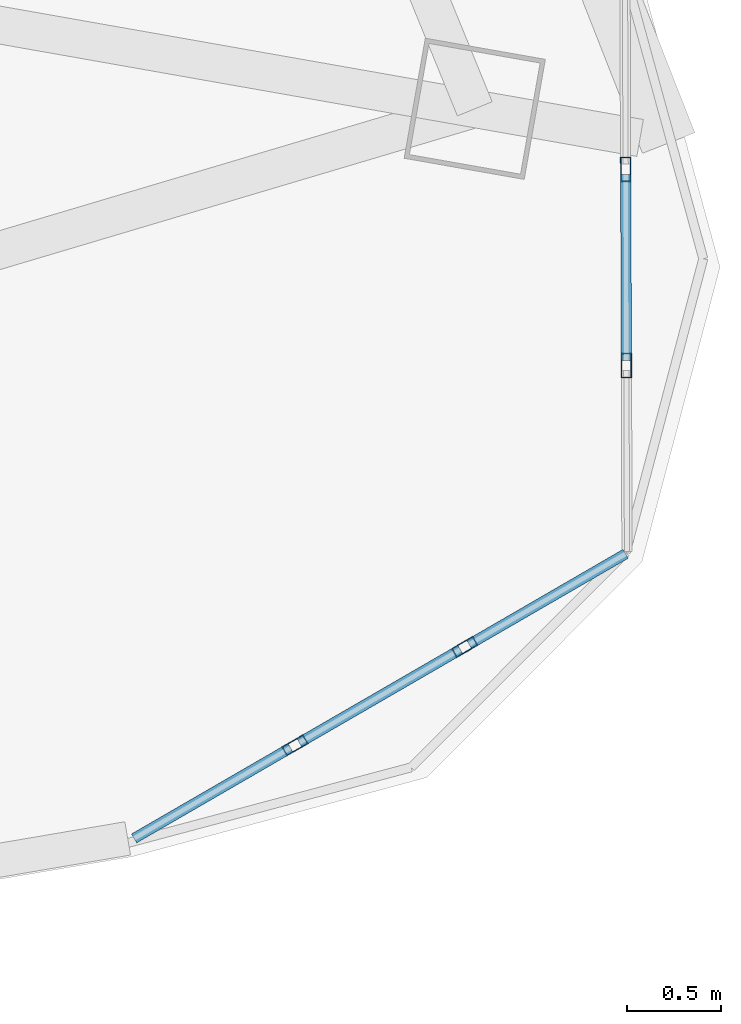
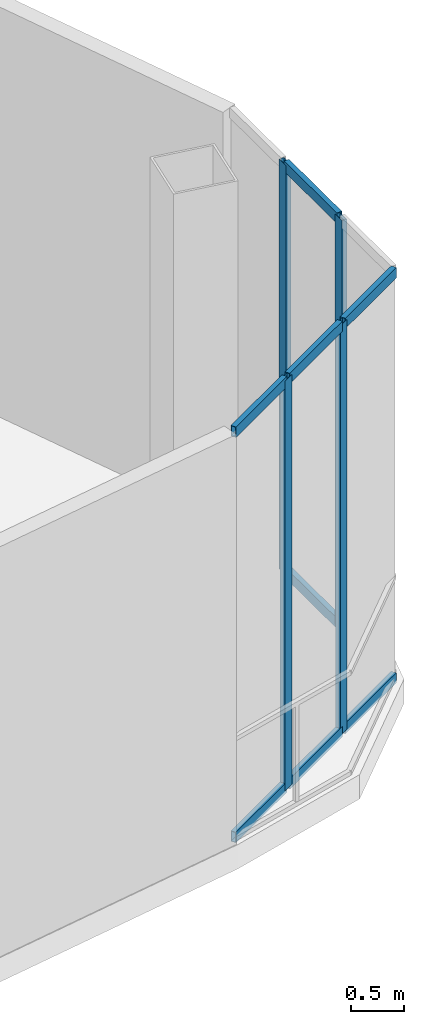
# One storey, part 17 of 32: 12 members, 2 elements without a shape of their own.
"""IFC4 building model written with IfcOpenShell, lengths in metres."""

from ifc_helpers import new_model, si_unit, direction, frame, origin, origin_2d, place, context, subcontext, project, spatial, hollow_rectangle, extrude, source, transform, mapped, material, layer, layer_set, material_profile, profile_set, type_object, element, aggregate, save


model = new_model("IFC4")

# Units and contexts
model_context = context("Model", 3, precision=1e-05, world=origin(), true_north=direction((0.0, 1.0)))
body_context = subcontext(model_context, "Body", "Model", "MODEL_VIEW")
ifc_project = project(units=[si_unit("LENGTHUNIT", "METRE"), si_unit("AREAUNIT", "SQUARE_METRE"), si_unit("VOLUMEUNIT", "CUBIC_METRE"), si_unit("PLANEANGLEUNIT", "RADIAN"), si_unit("MASSUNIT", "GRAM", prefix="KILO"), si_unit("THERMODYNAMICTEMPERATUREUNIT", "KELVIN"), si_unit("POWERUNIT", "WATT")], contexts=[model_context])

# Site, building, storey
site_placement = place(None, origin())
site = spatial("IfcSite", under=ifc_project, at=site_placement, CompositionType="ELEMENT")
building_placement = place(site_placement, origin())
building = spatial("IfcBuilding", under=site, at=building_placement, Name="Yunzhuo Pagoda Commons", CompositionType="ELEMENT")
storey_placement = place(building_placement, frame((0.0, 0.0, 396.760009765625)))
storey = spatial("IfcBuildingStorey", under=building, at=storey_placement, Name="L98", CompositionType="ELEMENT", Elevation=396.760009765625)

# Curtain wall, members
ifc_material = material(Name="Anodized aluminium 6063-T6", Category="aluminium")
ifc_layer = layer(ifc_material, 0.1298828125)
ifc_layer_set = layer_set([ifc_layer], Name="Anodized aluminium 6063-T6")
curtain_wall_type = type_object("IfcCurtainWallType", Name="CW-VTX Rounded Corner Curtain Wall", PredefinedType="NOTDEFINED", material=ifc_layer_set)
curtain_wall_1_placement = place(storey_placement, origin())
curtain_wall_1 = element("IfcCurtainWall", 1, at=curtain_wall_1_placement, inside=storey, type_object=curtain_wall_type, Name="L98 curtain wall CW-L98-CRNV2S1", PredefinedType="NOTDEFINED")
ifc_material_profile_1 = material_profile(ifc_material, hollow_rectangle(XDim=0.054931640625, YDim=0.1298828125, WallThickness=0.00341796875, at=origin_2d()), Name="Anodized aluminium 6063-T6")
ifc_profile_set_1 = profile_set([ifc_material_profile_1], Name="Anodized aluminium 6063-T6")
member_type_1 = type_object("IfcMemberType", Name="CW-VTX-M Mullion RHS 130x55x3.5", PredefinedType="MULLION", material=ifc_profile_set_1)
shared_shape_1 = source(origin(), body_context, "Body", "SweptSolid", [
    extrude(hollow_rectangle(XDim=0.054931640625, YDim=0.1298828125, WallThickness=0.00341796875, at=origin_2d()), origin(), (0.0, 0.0, 1.0), 4.72021484375),
])
member_1_placement = place(storey_placement, frame((71.511474609375, 25.991455078125, 0.0), z_axis=(0.0, 0.0, 1.0), x_axis=(-0.501041294531, 0.865423376836, 0.0)))
member_1 = element("IfcMember", 2, at=member_1_placement, type_object=member_type_1, Name="CW mullion 2", PredefinedType="MULLION", context=body_context, shape_type="MappedRepresentation", body=[
    mapped(shared_shape_1, transform((0.0, 0.0, 0.0), scale=1.0)),
])
member_2_placement = place(storey_placement, frame((72.416748046875, 26.515625, 0.0), z_axis=(0.0, 0.0, 1.0), x_axis=(-0.501041294531, 0.865423376836, 0.0)))
member_2 = element("IfcMember", 3, at=member_2_placement, type_object=member_type_1, Name="CW mullion 3", PredefinedType="MULLION", context=body_context, shape_type="MappedRepresentation", body=[
    mapped(shared_shape_1, transform((0.0, 0.0, 0.0), scale=1.0)),
])

curtain_wall_2_placement = place(storey_placement, origin())
curtain_wall_2 = element("IfcCurtainWall", 4, at=curtain_wall_2_placement, inside=storey, type_object=curtain_wall_type, Name="L98 curtain wall CW-L98-CRNV2S2", PredefinedType="NOTDEFINED")
member_3_placement = place(storey_placement, frame((73.27880859375, 28.016357421875, 0.0), z_axis=(0.0, 0.0, 1.0), x_axis=(-0.99999363226, -0.003568674704, 0.0)))
member_3 = element("IfcMember", 5, at=member_3_placement, type_object=member_type_1, Name="CW mullion 2", PredefinedType="MULLION", context=body_context, shape_type="MappedRepresentation", body=[
    mapped(shared_shape_1, transform((0.0, 0.0, 0.0), scale=1.0)),
])
member_4_placement = place(storey_placement, frame((73.27490234375, 29.0625, 0.0), z_axis=(0.0, 0.0, 1.0), x_axis=(-0.99999363226, -0.003568674704, 0.0)))
member_4 = element("IfcMember", 6, at=member_4_placement, type_object=member_type_1, Name="CW mullion 3", PredefinedType="MULLION", context=body_context, shape_type="MappedRepresentation", body=[
    mapped(shared_shape_1, transform((0.0, 0.0, 0.0), scale=1.0)),
])

# Member
ifc_material_profile_2 = material_profile(ifc_material, hollow_rectangle(XDim=0.054931640625, YDim=0.1201171875, WallThickness=0.00341796875, at=origin_2d()), Name="Anodized aluminium 6063-T6")
ifc_profile_set_2 = profile_set([ifc_material_profile_2], Name="Anodized aluminium 6063-T6")
member_type_2 = type_object("IfcMemberType", Name="CW-VTX-T Transom RHS 120x55x3.5", PredefinedType="USERDEFINED", material=ifc_profile_set_2)
shared_shape_2 = source(origin(), body_context, "Body", "SweptSolid", [
    extrude(hollow_rectangle(XDim=0.054931640625, YDim=0.1201171875, WallThickness=0.00341796875, at=origin_2d()), origin(), (0.0, 0.0, 1.0), 0.963623046875),
])
member_5_placement = place(storey_placement, frame((72.440673828125, 26.529296875, 0.027587890625), z_axis=(0.865391594413, 0.501096186694, 0.0), x_axis=(-0.501096186694, 0.865391594413, 0.0)))
member_5 = element("IfcMember", 7, at=member_5_placement, type_object=member_type_2, Name="CW transom 3.1", ObjectType="TRANSOM", PredefinedType="USERDEFINED", context=body_context, shape_type="MappedRepresentation", body=[
    mapped(shared_shape_2, transform((0.0, 0.0, 0.0), scale=1.0)),
])

member_6_placement = place(storey_placement, frame((72.440673828125, 26.529296875, 4.6923828125), z_axis=(0.865391594413, 0.501096186694, 0.0), x_axis=(-0.501096186694, 0.865391594413, 0.0)))
member_6 = element("IfcMember", 8, at=member_6_placement, type_object=member_type_2, Name="CW transom 3.2", ObjectType="TRANSOM", PredefinedType="USERDEFINED", context=body_context, shape_type="MappedRepresentation", body=[
    mapped(shared_shape_2, transform((0.0, 0.0, 0.0), scale=1.0)),
])

shared_shape_3 = source(origin(), body_context, "Body", "SweptSolid", [
    extrude(hollow_rectangle(XDim=0.054931640625, YDim=0.1201171875, WallThickness=0.00341796875, at=origin_2d()), origin(), (0.0, 0.0, 1.0), 0.990966796875),
])
member_7_placement = place(storey_placement, frame((73.27880859375, 28.0439453125, 0.027587890625), z_axis=(-0.003941826976, 0.99999223097, 0.0), x_axis=(-0.99999223097, -0.003941826976, 0.0)))
member_7 = element("IfcMember", 9, at=member_7_placement, type_object=member_type_2, Name="CW transom 2.1", ObjectType="TRANSOM", PredefinedType="USERDEFINED", context=body_context, shape_type="MappedRepresentation", body=[
    mapped(shared_shape_3, transform((0.0, 0.0, 0.0), scale=1.0)),
])

member_8_placement = place(storey_placement, frame((73.27880859375, 28.0439453125, 4.6923828125), z_axis=(-0.003941826976, 0.99999223097, 0.0), x_axis=(-0.99999223097, -0.003941826976, 0.0)))
member_8 = element("IfcMember", 10, at=member_8_placement, type_object=member_type_2, Name="CW transom 2.2", ObjectType="TRANSOM", PredefinedType="USERDEFINED", context=body_context, shape_type="MappedRepresentation", body=[
    mapped(shared_shape_3, transform((0.0, 0.0, 0.0), scale=1.0)),
])

aggregate(curtain_wall_2, [member_3, member_4, member_7, member_8])

shared_shape_4 = source(origin(), body_context, "Body", "SweptSolid", [
    extrude(hollow_rectangle(XDim=0.054931640625, YDim=0.1201171875, WallThickness=0.00341796875, at=origin_2d()), origin(), (0.0, 0.0, 1.0), 0.9912109375),
])
member_9_placement = place(storey_placement, frame((71.53515625, 26.005126953125, 0.027587890625), z_axis=(0.86547124823, 0.500958599573, 0.0), x_axis=(-0.500958599573, 0.86547124823, 0.0)))
member_9 = element("IfcMember", 11, at=member_9_placement, type_object=member_type_2, Name="CW transom 2.1", ObjectType="TRANSOM", PredefinedType="USERDEFINED", context=body_context, shape_type="MappedRepresentation", body=[
    mapped(shared_shape_4, transform((0.0, 0.0, 0.0), scale=1.0)),
])

member_10_placement = place(storey_placement, frame((71.53515625, 26.005126953125, 4.6923828125), z_axis=(0.86547124823, 0.500958599573, 0.0), x_axis=(-0.500958599573, 0.86547124823, 0.0)))
member_10 = element("IfcMember", 12, at=member_10_placement, type_object=member_type_2, Name="CW transom 2.2", ObjectType="TRANSOM", PredefinedType="USERDEFINED", context=body_context, shape_type="MappedRepresentation", body=[
    mapped(shared_shape_4, transform((0.0, 0.0, 0.0), scale=1.0)),
])

shared_shape_5 = source(origin(), body_context, "Body", "SweptSolid", [
    extrude(hollow_rectangle(XDim=0.054931640625, YDim=0.1201171875, WallThickness=0.00341796875, at=origin_2d()), origin(), (0.0, 0.0, 1.0), 0.96337890625),
])
member_11_placement = place(storey_placement, frame((70.65380859375, 25.494873046875, 0.027587890625), z_axis=(0.865437852253, 0.501016291041, 0.0), x_axis=(-0.501016291041, 0.865437852253, 0.0)))
member_11 = element("IfcMember", 13, at=member_11_placement, type_object=member_type_2, Name="CW transom 1.1", ObjectType="TRANSOM", PredefinedType="USERDEFINED", context=body_context, shape_type="MappedRepresentation", body=[
    mapped(shared_shape_5, transform((0.0, 0.0, 0.0), scale=1.0)),
])

member_12_placement = place(storey_placement, frame((70.65380859375, 25.494873046875, 4.6923828125), z_axis=(0.865437852253, 0.501016291041, 0.0), x_axis=(-0.501016291041, 0.865437852253, 0.0)))
member_12 = element("IfcMember", 14, at=member_12_placement, type_object=member_type_2, Name="CW transom 1.2", ObjectType="TRANSOM", PredefinedType="USERDEFINED", context=body_context, shape_type="MappedRepresentation", body=[
    mapped(shared_shape_5, transform((0.0, 0.0, 0.0), scale=1.0)),
])

aggregate(curtain_wall_1, [member_1, member_2, member_11, member_12, member_9, member_10, member_5, member_6])

save(model, "model.ifc")
